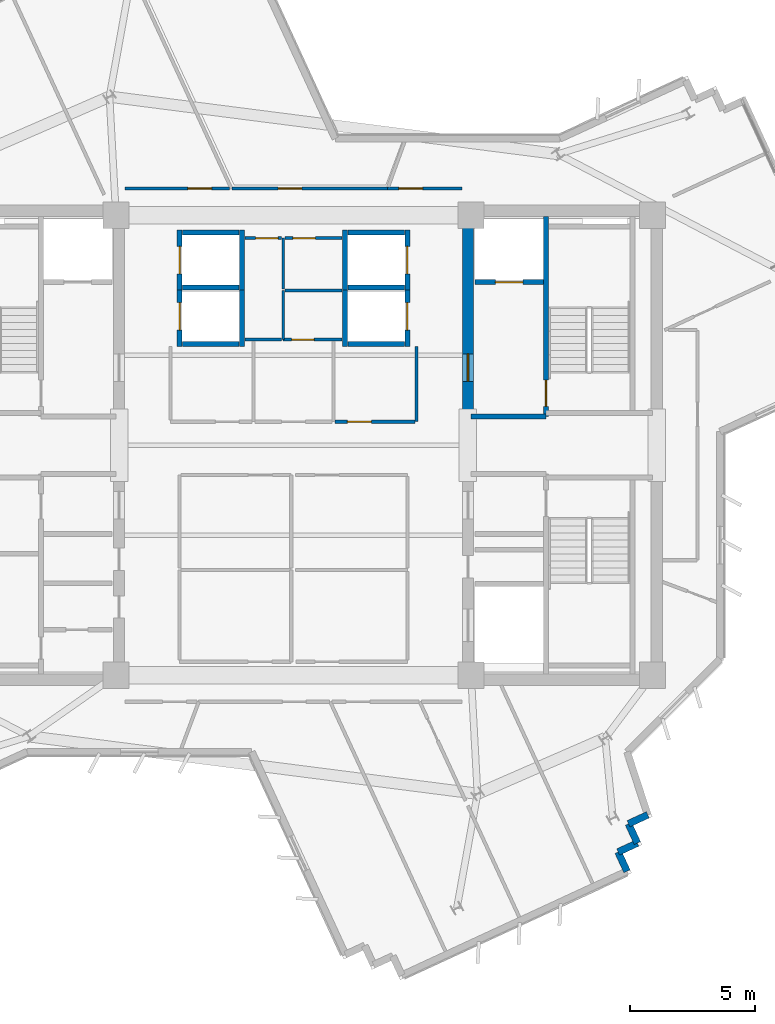
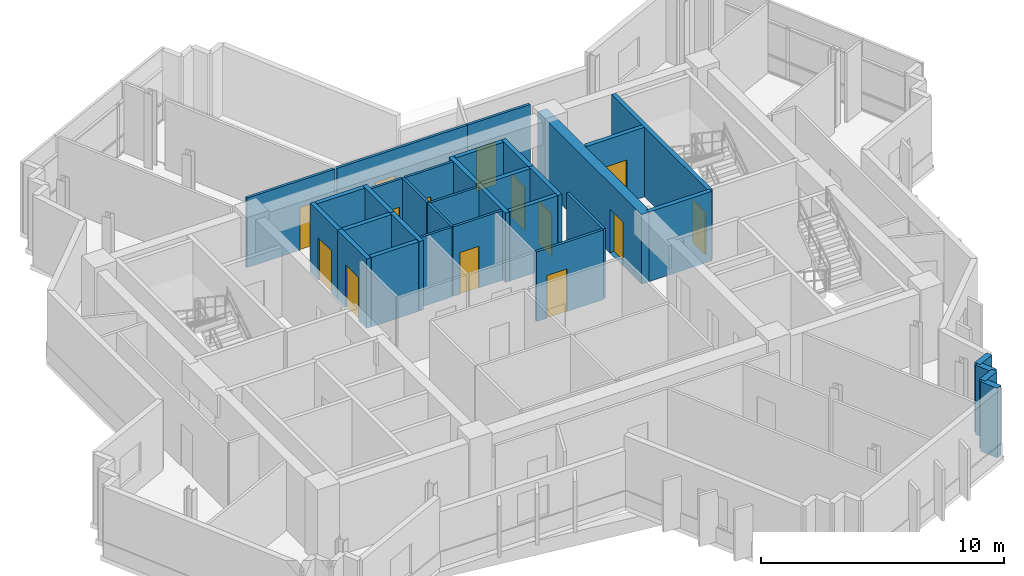
# One storey, part 7 of 12: 34 walls, 14 doors, 14 openings.
"""IFC4 building model written with IfcOpenShell, lengths in metres."""

from ifc_helpers import new_model, si_unit, direction, frame, frame_2d, origin, place, context, subcontext, project, spatial, rectangle, extrude, source, transform, mapped, material, layer, layer_set, type_object, element, fill, save


model = new_model("IFC4")

# Units and contexts
model_context = context("Model", 3, precision=1e-05, world=origin(), true_north=direction((0.0, 1.0)))
body_context = subcontext(model_context, "Body", "Model", "MODEL_VIEW")
ifc_project = project(units=[si_unit("LENGTHUNIT", "METRE"), si_unit("AREAUNIT", "SQUARE_METRE"), si_unit("VOLUMEUNIT", "CUBIC_METRE"), si_unit("PLANEANGLEUNIT", "RADIAN"), si_unit("MASSUNIT", "GRAM", prefix="KILO")], contexts=[model_context])

# Site, building, storey
site_placement = place(None, origin())
site = spatial("IfcSite", under=ifc_project, at=site_placement, CompositionType="ELEMENT")
building_placement = place(site_placement, origin())
building = spatial("IfcBuilding", under=site, at=building_placement, Name="Zahravan Cultural Tower", CompositionType="ELEMENT")
storey_placement = place(building_placement, frame((0.0, 0.0, 242.85009765625)))
storey = spatial("IfcBuildingStorey", under=building, at=storey_placement, Name="L57", CompositionType="ELEMENT", Elevation=242.85009765625)

# Wall, opening, door
ifc_material_1 = material(Name="Concrete C50/60", Category="concrete")
ifc_layer_1 = layer(ifc_material_1, 0.449951171875)
ifc_layer_set_1 = layer_set([ifc_layer_1], Name="Concrete C50/60")
wall_type_1 = type_object("IfcWallType", Name="CW-SHEAR-450-C50", PredefinedType="SHEAR", material=ifc_layer_set_1)
wall_1_placement = place(storey_placement, frame((42.97509765625, 28.050048828125, 0.0), z_axis=(0.0, 0.0, 1.0), x_axis=(0.0, 1.0, 0.0)))
wall_1 = element("IfcWall", 1, at=wall_1_placement, inside=storey, type_object=wall_type_1, Name="L57 Core Shear Wall CW-E-WN-L57", PredefinedType="SHEAR", context=body_context, shape_type="SweptSolid", body=[
    extrude(rectangle(XDim=8.550048828125, YDim=0.449951171875, at=frame_2d((4.27490234375, 0.0))), origin(), (0.0, 0.0, 1.0), 3.5),
])
opening_1_placement = place(wall_1_placement, frame((1.5, 0.0, 0.0)))
opening_1 = element("IfcOpeningElement", 2, at=opening_1_placement, cuts=wall_1, Name="Opening D-L57-07", PredefinedType="OPENING", context=body_context, shape_type="SweptSolid", body=[
    extrude(rectangle(XDim=1.10009765625, YDim=2.199951171875, at=frame_2d((0.550048828125, 1.10009765625))), frame((0.0, 0.23486328125, 0.0), z_axis=(0.0, -1.0, 0.0), x_axis=(1.0, 0.0, 0.0)), (0.0, 0.0, 1.0), 0.469970703125),
])
ifc_material_2 = material(Name="Steel ASTM A572 Grade 50", Category="steel")
door_type_1 = type_object("IfcDoorType", Name="DR-LOBBY-1100", OperationType="NOTDEFINED", PredefinedType="DOOR", material=ifc_material_2)
shared_shape_1 = source(origin(), body_context, "Body", "SweptSolid", [
    extrude(rectangle(XDim=1.10009765625, YDim=2.199951171875, at=frame_2d((0.550048828125, 1.10009765625))), frame((0.0, 0.02490234375, 0.0), z_axis=(0.0, -1.0, 0.0), x_axis=(1.0, 0.0, 0.0)), (0.0, 0.0, 1.0), 0.050048828125),
])
door_1_placement = place(opening_1_placement, origin())
door_1 = element("IfcDoor", 3, at=door_1_placement, inside=storey, type_object=door_type_1, Name="L57 Door D-L57-07", OperationType="SINGLE_SWING_LEFT", OverallHeight=2.199951171875, OverallWidth=1.10009765625, PredefinedType="DOOR", context=body_context, shape_type="MappedRepresentation", body=[
    mapped(shared_shape_1, transform((0.0, 0.0, 0.0), x_axis=(1.0, 0.0, 0.0), y_axis=(0.0, 1.0, 0.0), z_axis=(0.0, 0.0, 1.0), scale=1.0)),
])
fill(opening_1, door_1)

ifc_material_3 = material(Name="Gypsum plasterboard partition")
ifc_layer_2 = layer(ifc_material_3, 0.125)
ifc_layer_set_2 = layer_set([ifc_layer_2], Name="Gypsum plasterboard partition")
wall_type_2 = type_object("IfcWallType", Name="W-PART-125", PredefinedType="PARTITIONING", material=ifc_layer_set_2)
wall_2_placement = place(storey_placement, frame((40.8525390625, 27.93994140625, 0.0), z_axis=(0.0, 0.0, 1.0), x_axis=(-1.0, 0.0, 0.0)))
wall_2 = element("IfcWall", 4, at=wall_2_placement, inside=storey, type_object=wall_type_2, Name="L57 Interior Wall 057", PredefinedType="PARTITIONING", context=body_context, shape_type="SweptSolid", body=[
    extrude(rectangle(XDim=3.18505859375, YDim=0.125, at=frame_2d((1.592529296875, 0.0))), origin(), (0.0, 0.0, 1.0), 3.5),
])
opening_2_placement = place(wall_2_placement, frame((1.743408203125, 0.0, 0.0)))
opening_2 = element("IfcOpeningElement", 5, at=opening_2_placement, cuts=wall_2, Name="Opening D-L57-22", PredefinedType="OPENING", context=body_context, shape_type="SweptSolid", body=[
    extrude(rectangle(XDim=0.949951171875, YDim=2.14990234375, at=frame_2d((0.47509765625, 1.074951171875))), frame((0.0, 0.072509765625, 0.0), z_axis=(0.0, -1.0, 0.0), x_axis=(1.0, 0.0, 0.0)), (0.0, 0.0, 1.0), 0.14501953125),
])
ifc_material_4 = material(Name="Anodised bronze-aluminium mullion", Category="aluminium")
door_type_2 = type_object("IfcDoorType", Name="DR-ROOM-950", OperationType="NOTDEFINED", PredefinedType="DOOR", material=ifc_material_4)
shared_shape_2 = source(origin(), body_context, "Body", "SweptSolid", [
    extrude(rectangle(XDim=0.949951171875, YDim=2.14990234375, at=frame_2d((0.47509765625, 1.074951171875))), frame((0.0, 0.02490234375, 0.0), z_axis=(0.0, -1.0, 0.0), x_axis=(1.0, 0.0, 0.0)), (0.0, 0.0, 1.0), 0.050048828125),
])
door_2_placement = place(opening_2_placement, origin())
door_2 = element("IfcDoor", 6, at=door_2_placement, inside=storey, type_object=door_type_2, Name="L57 Door D-L57-22", OperationType="SINGLE_SWING_RIGHT", OverallHeight=2.14990234375, OverallWidth=0.949951171875, PredefinedType="DOOR", context=body_context, shape_type="MappedRepresentation", body=[
    mapped(shared_shape_2, transform((0.0, 0.0, 0.0), x_axis=(1.0, 0.0, 0.0), y_axis=(0.0, 1.0, 0.0), z_axis=(0.0, 0.0, 1.0), scale=1.0)),
])
fill(opening_2, door_2)

wall_3_placement = place(storey_placement, frame((42.74658203125, 37.2587890625, 0.0), z_axis=(0.0, 0.0, 1.0), x_axis=(-0.999999916415, 0.000408864141, 0.0)))
wall_3 = element("IfcWall", 7, at=wall_3_placement, inside=storey, type_object=wall_type_2, Name="L57 Interior Wall 085", PredefinedType="PARTITIONING", context=body_context, shape_type="SweptSolid", body=[
    extrude(rectangle(XDim=2.985595703125, YDim=0.125, at=frame_2d((1.49267578125, 0.0))), origin(), (0.0, 0.0, 1.0), 3.5),
])
opening_3_placement = place(wall_3_placement, frame((1.587890625, 0.0, 0.0)))
opening_3 = element("IfcOpeningElement", 8, at=opening_3_placement, cuts=wall_3, Name="Opening D-L57-24", PredefinedType="OPENING", context=body_context, shape_type="SweptSolid", body=[
    extrude(rectangle(XDim=0.949951171875, YDim=2.14990234375, at=frame_2d((0.47509765625, 1.074951171875))), frame((0.0, 0.072509765625, 0.0), z_axis=(0.0, -1.0, 0.0), x_axis=(1.0, 0.0, 0.0)), (0.0, 0.0, 1.0), 0.14501953125),
])
door_3_placement = place(opening_3_placement, origin())
door_3 = element("IfcDoor", 9, at=door_3_placement, inside=storey, type_object=door_type_2, Name="L57 Door D-L57-24", OperationType="SINGLE_SWING_RIGHT", OverallHeight=2.14990234375, OverallWidth=0.949951171875, PredefinedType="DOOR", context=body_context, shape_type="MappedRepresentation", body=[
    mapped(shared_shape_2, transform((0.0, 0.0, 0.0), x_axis=(1.0, 0.0, 0.0), y_axis=(0.0, 1.0, 0.0), z_axis=(0.0, 0.0, 1.0), scale=1.0)),
])
fill(opening_3, door_3)

wall_4_placement = place(storey_placement, frame((33.443115234375, 37.260009765625, 0.0), z_axis=(0.0, 0.0, 1.0), x_axis=(-0.999999998299, -5.8329445e-05, 0.0)))
wall_4 = element("IfcWall", 10, at=wall_4_placement, inside=storey, type_object=wall_type_2, Name="L57 Interior Wall 089", PredefinedType="PARTITIONING", context=body_context, shape_type="SweptSolid", body=[
    extrude(rectangle(XDim=4.185546875, YDim=0.125, at=frame_2d((2.0927734375, 0.0))), origin(), (0.0, 0.0, 1.0), 3.5),
])
opening_4_placement = place(wall_4_placement, frame((0.7119140625, 0.0, 0.0)))
opening_4 = element("IfcOpeningElement", 11, at=opening_4_placement, cuts=wall_4, Name="Opening D-L57-26", PredefinedType="OPENING", context=body_context, shape_type="SweptSolid", body=[
    extrude(rectangle(XDim=0.949951171875, YDim=2.14990234375, at=frame_2d((0.47509765625, 1.074951171875))), frame((0.0, 0.072509765625, 0.0), z_axis=(0.0, -1.0, 0.0), x_axis=(1.0, 0.0, 0.0)), (0.0, 0.0, 1.0), 0.14501953125),
])
door_4_placement = place(opening_4_placement, origin())
door_4 = element("IfcDoor", 12, at=door_4_placement, inside=storey, type_object=door_type_2, Name="L57 Door D-L57-26", OperationType="SINGLE_SWING_RIGHT", OverallHeight=2.14990234375, OverallWidth=0.949951171875, PredefinedType="DOOR", context=body_context, shape_type="MappedRepresentation", body=[
    mapped(shared_shape_2, transform((0.0, 0.0, 0.0), x_axis=(1.0, 0.0, 0.0), y_axis=(0.0, 1.0, 0.0), z_axis=(0.0, 0.0, 1.0), scale=1.0)),
])
fill(opening_4, door_4)

wall_5_placement = place(storey_placement, frame((39.760986328125, 37.260009765625, 0.0), z_axis=(0.0, 0.0, 1.0), x_axis=(-1.0, 0.0, 0.0)))
wall_5 = element("IfcWall", 13, at=wall_5_placement, inside=storey, type_object=wall_type_2, Name="L57 Interior Wall 103", PredefinedType="PARTITIONING", context=body_context, shape_type="SweptSolid", body=[
    extrude(rectangle(XDim=6.221435546875, YDim=0.125, at=frame_2d((3.11083984375, 0.0))), origin(), (0.0, 0.0, 1.0), 3.5),
])
opening_5_placement = place(wall_5_placement, frame((3.426513671875, 0.0, 0.0)))
opening_5 = element("IfcOpeningElement", 14, at=opening_5_placement, cuts=wall_5, Name="Opening D-L57-25", PredefinedType="OPENING", context=body_context, shape_type="SweptSolid", body=[
    extrude(rectangle(XDim=0.949951171875, YDim=2.14990234375, at=frame_2d((0.47509765625, 1.074951171875))), frame((0.0, 0.072509765625, 0.0), z_axis=(0.0, -1.0, 0.0), x_axis=(1.0, 0.0, 0.0)), (0.0, 0.0, 1.0), 0.14501953125),
])
door_5_placement = place(opening_5_placement, origin())
door_5 = element("IfcDoor", 15, at=door_5_placement, inside=storey, type_object=door_type_2, Name="L57 Door D-L57-25", OperationType="SINGLE_SWING_LEFT", OverallHeight=2.14990234375, OverallWidth=0.949951171875, PredefinedType="DOOR", context=body_context, shape_type="MappedRepresentation", body=[
    mapped(shared_shape_2, transform((0.0, 0.0, 0.0), x_axis=(1.0, 0.0, 0.0), y_axis=(0.0, 1.0, 0.0), z_axis=(0.0, 0.0, 1.0), scale=1.0)),
])
fill(opening_5, door_5)

ifc_material_5 = material(Name="Concrete C45/55", Category="concrete")
ifc_layer_3 = layer(ifc_material_5, 0.199951171875)
ifc_layer_set_3 = layer_set([ifc_layer_3], Name="Concrete C45/55")
wall_type_3 = type_object("IfcWallType", Name="W-SHAFT-200", PredefinedType="SOLIDWALL", material=ifc_layer_set_3)
wall_6_placement = place(storey_placement, frame((46.10009765625, 28.14990234375, 0.0), z_axis=(0.0, 0.0, 1.0), x_axis=(0.0, 1.0, 0.0)))
wall_6 = element("IfcWall", 16, at=wall_6_placement, inside=storey, type_object=wall_type_3, Name="L57 Interior Wall 008", PredefinedType="SOLIDWALL", context=body_context, shape_type="SweptSolid", body=[
    extrude(rectangle(XDim=8.0, YDim=0.199951171875, at=frame_2d((4.0, 0.0))), origin(), (0.0, 0.0, 1.0), 3.5),
])
opening_6_placement = place(wall_6_placement, frame((0.39990234375, 0.0, 0.0)))
opening_6 = element("IfcOpeningElement", 17, at=opening_6_placement, cuts=wall_6, Name="Opening D-L57-02", PredefinedType="OPENING", context=body_context, shape_type="SweptSolid", body=[
    extrude(rectangle(XDim=1.050048828125, YDim=2.14990234375, at=frame_2d((0.52490234375, 1.074951171875))), frame((0.0, 0.10986328125, 0.0), z_axis=(0.0, -1.0, 0.0), x_axis=(1.0, 0.0, 0.0)), (0.0, 0.0, 1.0), 0.219970703125),
])
door_type_3 = type_object("IfcDoorType", Name="DR-STAIR-1050", OperationType="NOTDEFINED", PredefinedType="DOOR", material=ifc_material_2)
shared_shape_3 = source(origin(), body_context, "Body", "SweptSolid", [
    extrude(rectangle(XDim=1.050048828125, YDim=2.14990234375, at=frame_2d((0.52490234375, 1.074951171875))), frame((0.0, 0.02490234375, 0.0), z_axis=(0.0, -1.0, 0.0), x_axis=(1.0, 0.0, 0.0)), (0.0, 0.0, 1.0), 0.050048828125),
])
door_6_placement = place(opening_6_placement, origin())
door_6 = element("IfcDoor", 18, at=door_6_placement, inside=storey, type_object=door_type_3, Name="L57 Door D-L57-02", OperationType="SINGLE_SWING_RIGHT", OverallHeight=2.14990234375, OverallWidth=1.050048828125, PredefinedType="DOOR", context=body_context, shape_type="MappedRepresentation", body=[
    mapped(shared_shape_3, transform((0.0, 0.0, 0.0), x_axis=(1.0, 0.0, 0.0), y_axis=(0.0, 1.0, 0.0), z_axis=(0.0, 0.0, 1.0), scale=1.0)),
])
fill(opening_6, door_6)

wall_7_placement = place(storey_placement, frame((43.25, 33.52001953125, 0.0), z_axis=(0.0, 0.0, 1.0), x_axis=(1.0, 0.0, 0.0)))
wall_7 = element("IfcWall", 19, at=wall_7_placement, inside=storey, type_object=wall_type_3, Name="L57 Interior Wall 023", PredefinedType="SOLIDWALL", context=body_context, shape_type="SweptSolid", body=[
    extrude(rectangle(XDim=2.75, YDim=0.199951171875, at=frame_2d((1.375, 0.0))), origin(), (0.0, 0.0, 1.0), 3.5),
])
opening_7_placement = place(wall_7_placement, frame((0.820068359375, 0.0, 0.0)))
opening_7 = element("IfcOpeningElement", 20, at=opening_7_placement, cuts=wall_7, Name="Opening LD-L57-02", PredefinedType="OPENING", context=body_context, shape_type="SweptSolid", body=[
    extrude(rectangle(XDim=1.10009765625, YDim=2.14990234375, at=frame_2d((0.550048828125, 1.074951171875))), frame((0.0, 0.10986328125, 0.0), z_axis=(0.0, -1.0, 0.0), x_axis=(1.0, 0.0, 0.0)), (0.0, 0.0, 1.0), 0.219970703125),
])
door_type_4 = type_object("IfcDoorType", Name="DR-LIFT-1100", OperationType="DOUBLE_DOOR_SLIDING", PredefinedType="DOOR", material=ifc_material_2)
shared_shape_4 = source(origin(), body_context, "Body", "SweptSolid", [
    extrude(rectangle(XDim=1.10009765625, YDim=2.14990234375, at=frame_2d((0.550048828125, 1.074951171875))), frame((0.0, 0.02490234375, 0.0), z_axis=(0.0, -1.0, 0.0), x_axis=(1.0, 0.0, 0.0)), (0.0, 0.0, 1.0), 0.050048828125),
])
door_7_placement = place(opening_7_placement, origin())
door_7 = element("IfcDoor", 21, at=door_7_placement, inside=storey, type_object=door_type_4, Name="L57 Door LD-L57-02", OperationType="DOUBLE_DOOR_SLIDING", OverallHeight=2.14990234375, OverallWidth=1.10009765625, PredefinedType="DOOR", context=body_context, shape_type="MappedRepresentation", body=[
    mapped(shared_shape_4, transform((0.0, 0.0, 0.0), x_axis=(1.0, 0.0, 0.0), y_axis=(0.0, 1.0, 0.0), z_axis=(0.0, 0.0, 1.0), scale=1.0)),
])
fill(opening_7, door_7)

wall_8_placement = place(storey_placement, frame((31.449951171875, 33.199951171875, 0.0), z_axis=(0.0, 0.0, 1.0), x_axis=(0.0, 1.0, 0.0)))
wall_8 = element("IfcWall", 22, at=wall_8_placement, inside=storey, type_object=wall_type_3, Name="L57 Interior Wall 030", PredefinedType="SOLIDWALL", context=body_context, shape_type="SweptSolid", body=[
    extrude(rectangle(XDim=2.400146484375, YDim=0.199951171875, at=frame_2d((1.2001953125, 0.0))), origin(), (0.0, 0.0, 1.0), 3.5),
])
opening_8_placement = place(wall_8_placement, frame((0.64990234375, 0.0, 0.0)))
opening_8 = element("IfcOpeningElement", 23, at=opening_8_placement, cuts=wall_8, Name="Opening LD-L57-04", PredefinedType="OPENING", context=body_context, shape_type="SweptSolid", body=[
    extrude(rectangle(XDim=1.10009765625, YDim=2.14990234375, at=frame_2d((0.550048828125, 1.074951171875))), frame((0.0, 0.10986328125, 0.0), z_axis=(0.0, -1.0, 0.0), x_axis=(1.0, 0.0, 0.0)), (0.0, 0.0, 1.0), 0.219970703125),
])
door_8_placement = place(opening_8_placement, origin())
door_8 = element("IfcDoor", 24, at=door_8_placement, inside=storey, type_object=door_type_4, Name="L57 Door LD-L57-04", OperationType="DOUBLE_DOOR_SLIDING", OverallHeight=2.14990234375, OverallWidth=1.10009765625, PredefinedType="DOOR", context=body_context, shape_type="MappedRepresentation", body=[
    mapped(shared_shape_4, transform((0.0, 0.0, 0.0), x_axis=(1.0, 0.0, 0.0), y_axis=(0.0, 1.0, 0.0), z_axis=(0.0, 0.0, 1.0), scale=1.0)),
])
fill(opening_8, door_8)

wall_9_placement = place(storey_placement, frame((31.449951171875, 30.949951171875, 0.0), z_axis=(0.0, 0.0, 1.0), x_axis=(0.0, 1.0, 0.0)))
wall_9 = element("IfcWall", 25, at=wall_9_placement, inside=storey, type_object=wall_type_3, Name="L57 Interior Wall 034", PredefinedType="SOLIDWALL", context=body_context, shape_type="SweptSolid", body=[
    extrude(rectangle(XDim=2.400146484375, YDim=0.199951171875, at=frame_2d((1.2001953125, 0.0))), origin(), (0.0, 0.0, 1.0), 3.5),
])
opening_9_placement = place(wall_9_placement, frame((0.64990234375, 0.0, 0.0)))
opening_9 = element("IfcOpeningElement", 26, at=opening_9_placement, cuts=wall_9, Name="Opening LD-L57-05", PredefinedType="OPENING", context=body_context, shape_type="SweptSolid", body=[
    extrude(rectangle(XDim=1.10009765625, YDim=2.14990234375, at=frame_2d((0.550048828125, 1.074951171875))), frame((0.0, 0.10986328125, 0.0), z_axis=(0.0, -1.0, 0.0), x_axis=(1.0, 0.0, 0.0)), (0.0, 0.0, 1.0), 0.219970703125),
])
door_9_placement = place(opening_9_placement, origin())
door_9 = element("IfcDoor", 27, at=door_9_placement, inside=storey, type_object=door_type_4, Name="L57 Door LD-L57-05", OperationType="DOUBLE_DOOR_SLIDING", OverallHeight=2.14990234375, OverallWidth=1.10009765625, PredefinedType="DOOR", context=body_context, shape_type="MappedRepresentation", body=[
    mapped(shared_shape_4, transform((0.0, 0.0, 0.0), x_axis=(1.0, 0.0, 0.0), y_axis=(0.0, 1.0, 0.0), z_axis=(0.0, 0.0, 1.0), scale=1.0)),
])
fill(opening_9, door_9)

wall_10_placement = place(storey_placement, frame((40.550048828125, 33.199951171875, 0.0), z_axis=(0.0, 0.0, 1.0), x_axis=(0.0, 1.0, 0.0)))
wall_10 = element("IfcWall", 28, at=wall_10_placement, inside=storey, type_object=wall_type_3, Name="L57 Interior Wall 038", PredefinedType="SOLIDWALL", context=body_context, shape_type="SweptSolid", body=[
    extrude(rectangle(XDim=2.400146484375, YDim=0.199951171875, at=frame_2d((1.2001953125, 0.0))), origin(), (0.0, 0.0, 1.0), 3.5),
])
opening_10_placement = place(wall_10_placement, frame((0.64990234375, 0.0, 0.0)))
opening_10 = element("IfcOpeningElement", 29, at=opening_10_placement, cuts=wall_10, Name="Opening LD-L57-06", PredefinedType="OPENING", context=body_context, shape_type="SweptSolid", body=[
    extrude(rectangle(XDim=1.10009765625, YDim=2.14990234375, at=frame_2d((0.550048828125, 1.074951171875))), frame((0.0, 0.10986328125, 0.0), z_axis=(0.0, -1.0, 0.0), x_axis=(1.0, 0.0, 0.0)), (0.0, 0.0, 1.0), 0.219970703125),
])
door_10_placement = place(opening_10_placement, origin())
door_10 = element("IfcDoor", 30, at=door_10_placement, inside=storey, type_object=door_type_4, Name="L57 Door LD-L57-06", OperationType="DOUBLE_DOOR_SLIDING", OverallHeight=2.14990234375, OverallWidth=1.10009765625, PredefinedType="DOOR", context=body_context, shape_type="MappedRepresentation", body=[
    mapped(shared_shape_4, transform((0.0, 0.0, 0.0), x_axis=(1.0, 0.0, 0.0), y_axis=(0.0, 1.0, 0.0), z_axis=(0.0, 0.0, 1.0), scale=1.0)),
])
fill(opening_10, door_10)

wall_11_placement = place(storey_placement, frame((40.550048828125, 30.949951171875, 0.0), z_axis=(0.0, 0.0, 1.0), x_axis=(0.0, 1.0, 0.0)))
wall_11 = element("IfcWall", 31, at=wall_11_placement, inside=storey, type_object=wall_type_3, Name="L57 Interior Wall 042", PredefinedType="SOLIDWALL", context=body_context, shape_type="SweptSolid", body=[
    extrude(rectangle(XDim=2.400146484375, YDim=0.199951171875, at=frame_2d((1.2001953125, 0.0))), origin(), (0.0, 0.0, 1.0), 3.5),
])
opening_11_placement = place(wall_11_placement, frame((0.64990234375, 0.0, 0.0)))
opening_11 = element("IfcOpeningElement", 32, at=opening_11_placement, cuts=wall_11, Name="Opening LD-L57-07", PredefinedType="OPENING", context=body_context, shape_type="SweptSolid", body=[
    extrude(rectangle(XDim=1.10009765625, YDim=2.14990234375, at=frame_2d((0.550048828125, 1.074951171875))), frame((0.0, 0.10986328125, 0.0), z_axis=(0.0, -1.0, 0.0), x_axis=(1.0, 0.0, 0.0)), (0.0, 0.0, 1.0), 0.219970703125),
])
door_11_placement = place(opening_11_placement, origin())
door_11 = element("IfcDoor", 33, at=door_11_placement, inside=storey, type_object=door_type_4, Name="L57 Door LD-L57-07", OperationType="DOUBLE_DOOR_SLIDING", OverallHeight=2.14990234375, OverallWidth=1.10009765625, PredefinedType="DOOR", context=body_context, shape_type="MappedRepresentation", body=[
    mapped(shared_shape_4, transform((0.0, 0.0, 0.0), x_axis=(1.0, 0.0, 0.0), y_axis=(0.0, 1.0, 0.0), z_axis=(0.0, 0.0, 1.0), scale=1.0)),
])
fill(opening_11, door_11)

ifc_layer_4 = layer(ifc_material_3, 0.114990234375)
ifc_layer_set_4 = layer_set([ifc_layer_4], Name="Gypsum plasterboard partition")
wall_type_4 = type_object("IfcWallType", Name="W-WC-115", PredefinedType="PARTITIONING", material=ifc_layer_set_4)
wall_12_placement = place(storey_placement, frame((37.945068359375, 31.219970703125, 0.0), z_axis=(0.0, 0.0, 1.0), x_axis=(-1.0, 0.0, 0.0)))
wall_12 = element("IfcWall", 34, at=wall_12_placement, inside=storey, type_object=wall_type_4, Name="L57 Interior Wall 044", PredefinedType="PARTITIONING", context=body_context, shape_type="SweptSolid", body=[
    extrude(rectangle(XDim=2.35498046875, YDim=0.114990234375, at=frame_2d((1.177490234375, 0.0))), origin(), (0.0, 0.0, 1.0), 3.5),
])
opening_12_placement = place(wall_12_placement, frame((1.120849609375, 0.0, 0.0)))
opening_12 = element("IfcOpeningElement", 35, at=opening_12_placement, cuts=wall_12, Name="Opening D-L57-31", PredefinedType="OPENING", context=body_context, shape_type="SweptSolid", body=[
    extrude(rectangle(XDim=0.89990234375, YDim=2.10009765625, at=frame_2d((0.449951171875, 1.050048828125))), frame((0.0, 0.0673828125, 0.0), z_axis=(0.0, -1.0, 0.0), x_axis=(1.0, 0.0, 0.0)), (0.0, 0.0, 1.0), 0.135009765625),
])
door_type_5 = type_object("IfcDoorType", Name="DR-WC-900", OperationType="NOTDEFINED", PredefinedType="DOOR", material=ifc_material_4)
shared_shape_5 = source(origin(), body_context, "Body", "SweptSolid", [
    extrude(rectangle(XDim=0.89990234375, YDim=2.10009765625, at=frame_2d((0.449951171875, 1.050048828125))), frame((0.0, 0.02490234375, 0.0), z_axis=(0.0, -1.0, 0.0), x_axis=(1.0, 0.0, 0.0)), (0.0, 0.0, 1.0), 0.050048828125),
])
door_12_placement = place(opening_12_placement, origin())
door_12 = element("IfcDoor", 36, at=door_12_placement, inside=storey, type_object=door_type_5, Name="L57 Door D-L57-31", OperationType="SINGLE_SWING_LEFT", OverallHeight=2.10009765625, OverallWidth=0.89990234375, PredefinedType="DOOR", context=body_context, shape_type="MappedRepresentation", body=[
    mapped(shared_shape_5, transform((0.0, 0.0, 0.0), x_axis=(1.0, 0.0, 0.0), y_axis=(0.0, 1.0, 0.0), z_axis=(0.0, 0.0, 1.0), scale=1.0)),
])
fill(opening_12, door_12)

wall_13_placement = place(storey_placement, frame((35.652587890625, 35.280029296875, 0.0), z_axis=(0.0, 0.0, 1.0), x_axis=(1.0, 0.0, 0.0)))
wall_13 = element("IfcWall", 37, at=wall_13_placement, inside=storey, type_object=wall_type_4, Name="L57 Interior Wall 048", PredefinedType="PARTITIONING", context=body_context, shape_type="SweptSolid", body=[
    extrude(rectangle(XDim=2.29248046875, YDim=0.114990234375, at=frame_2d((1.146240234375, 0.0))), origin(), (0.0, 0.0, 1.0), 3.5),
])
opening_13_placement = place(wall_13_placement, frame((0.3203125, 0.0, 0.0)))
opening_13 = element("IfcOpeningElement", 38, at=opening_13_placement, cuts=wall_13, Name="Opening D-L57-19", PredefinedType="OPENING", context=body_context, shape_type="SweptSolid", body=[
    extrude(rectangle(XDim=0.89990234375, YDim=2.10009765625, at=frame_2d((0.449951171875, 1.050048828125))), frame((0.0, 0.0673828125, 0.0), z_axis=(0.0, -1.0, 0.0), x_axis=(1.0, 0.0, 0.0)), (0.0, 0.0, 1.0), 0.135009765625),
])
door_13_placement = place(opening_13_placement, origin())
door_13 = element("IfcDoor", 39, at=door_13_placement, inside=storey, type_object=door_type_5, Name="L57 Door D-L57-19", OperationType="SINGLE_SWING_LEFT", OverallHeight=2.10009765625, OverallWidth=0.89990234375, PredefinedType="DOOR", context=body_context, shape_type="MappedRepresentation", body=[
    mapped(shared_shape_5, transform((0.0, 0.0, 0.0), x_axis=(1.0, 0.0, 0.0), y_axis=(0.0, 1.0, 0.0), z_axis=(0.0, 0.0, 1.0), scale=1.0)),
])
fill(opening_13, door_13)

wall_14_placement = place(storey_placement, frame((34.054931640625, 35.280029296875, 0.0), z_axis=(0.0, 0.0, 1.0), x_axis=(1.0, 0.0, 0.0)))
wall_14 = element("IfcWall", 40, at=wall_14_placement, inside=storey, type_object=wall_type_4, Name="L57 Interior Wall 050", PredefinedType="PARTITIONING", context=body_context, shape_type="SweptSolid", body=[
    extrude(rectangle(XDim=1.47265625, YDim=0.114990234375, at=frame_2d((0.736328125, 0.0))), origin(), (0.0, 0.0, 1.0), 3.5),
])
opening_14_placement = place(wall_14_placement, frame((0.4326171875, 0.0, 0.0)))
opening_14 = element("IfcOpeningElement", 41, at=opening_14_placement, cuts=wall_14, Name="Opening D-L57-18", PredefinedType="OPENING", context=body_context, shape_type="SweptSolid", body=[
    extrude(rectangle(XDim=0.89990234375, YDim=2.10009765625, at=frame_2d((0.449951171875, 1.050048828125))), frame((0.0, 0.0673828125, 0.0), z_axis=(0.0, -1.0, 0.0), x_axis=(1.0, 0.0, 0.0)), (0.0, 0.0, 1.0), 0.135009765625),
])
door_14_placement = place(opening_14_placement, origin())
door_14 = element("IfcDoor", 42, at=door_14_placement, inside=storey, type_object=door_type_5, Name="L57 Door D-L57-18", OperationType="SINGLE_SWING_RIGHT", OverallHeight=2.10009765625, OverallWidth=0.89990234375, PredefinedType="DOOR", context=body_context, shape_type="MappedRepresentation", body=[
    mapped(shared_shape_5, transform((0.0, 0.0, 0.0), x_axis=(1.0, 0.0, 0.0), y_axis=(0.0, 1.0, 0.0), z_axis=(0.0, 0.0, 1.0), scale=1.0)),
])
fill(opening_14, door_14)

# Walls
ifc_material_6 = material(Name="Precast concrete C40/50", Category="concrete")
ifc_layer_5 = layer(ifc_material_6, 0.280029296875)
ifc_layer_set_5 = layer_set([ifc_layer_5], Name="Precast concrete C40/50")
wall_type_5 = type_object("IfcWallType", Name="EW-TC-280", PredefinedType="SOLIDWALL", material=ifc_layer_set_5)
shared_shape_6 = source(origin(), body_context, "Body", "SweptSolid", [
    extrude(rectangle(XDim=0.85009765625, YDim=0.280029296875, at=frame_2d((0.425048828125, 0.0))), origin(), (0.0, 0.0, 1.0), 3.5),
])
for number, where, z_axis, x_axis, name in (
    (43, (50.16650390625, 12.218994140625, 0.0), (0.0, 0.0, 1.0), (-0.907841666427, -0.419313139191, 0.0), "L57 Exterior Masonry Frame Wall 14"),
    (44, (49.394775390625, 11.862548828125, 0.0), (0.0, 0.0, 1.0), (0.419313139191, -0.907841666427, 0.0), "L57 Exterior Masonry Frame Wall 15"),
    (45, (48.979736328125, 10.734375, 0.0), (0.0, 0.0, 1.0), (0.419313139191, -0.907841666427, 0.0), "L57 Exterior Masonry Frame Wall 17"),
):
    element("IfcWall", number, at=place(storey_placement, frame(where, z_axis=z_axis, x_axis=x_axis)), inside=storey, type_object=wall_type_5, Name=name, PredefinedType="SOLIDWALL", context=body_context, shape_type="MappedRepresentation", body=[
        mapped(shared_shape_6, transform((0.0, 0.0, 0.0), x_axis=(1.0, 0.0, 0.0), y_axis=(0.0, 1.0, 0.0), z_axis=(0.0, 0.0, 1.0), scale=1.0)),
    ])
shared_shape_7 = source(origin(), body_context, "Body", "SweptSolid", [
    extrude(rectangle(XDim=0.849853515625, YDim=0.280029296875, at=frame_2d((0.4248046875, 0.0))), origin(), (0.0, 0.0, 1.0), 3.5),
])
wall_15_placement = place(storey_placement, frame((49.751220703125, 11.0908203125, 0.0), z_axis=(0.0, 0.0, 1.0), x_axis=(-0.907791150023, -0.419422493365, 0.0)))
element("IfcWall", 46, at=wall_15_placement, inside=storey, type_object=wall_type_5, Name="L57 Exterior Masonry Frame Wall 16", PredefinedType="SOLIDWALL", context=body_context, shape_type="MappedRepresentation", body=[
    mapped(shared_shape_7, transform((0.0, 0.0, 0.0), x_axis=(1.0, 0.0, 0.0), y_axis=(0.0, 1.0, 0.0), z_axis=(0.0, 0.0, 1.0), scale=1.0)),
])
shared_shape_8 = source(origin(), body_context, "Body", "SweptSolid", [
    extrude(rectangle(XDim=3.0, YDim=0.199951171875, at=frame_2d((1.5, 0.0))), origin(), (0.0, 0.0, 1.0), 3.5),
])
wall_16_placement = place(storey_placement, frame((43.10009765625, 28.14990234375, 0.0), z_axis=(0.0, 0.0, 1.0), x_axis=(1.0, 0.0, 0.0)))
element("IfcWall", 47, at=wall_16_placement, inside=storey, type_object=wall_type_3, Name="L57 Interior Wall 015", PredefinedType="SOLIDWALL", context=body_context, shape_type="MappedRepresentation", body=[
    mapped(shared_shape_8, transform((0.0, 0.0, 0.0), x_axis=(1.0, 0.0, 0.0), y_axis=(0.0, 1.0, 0.0), z_axis=(0.0, 0.0, 1.0), scale=1.0)),
])
shared_shape_9 = source(origin(), body_context, "Body", "SweptSolid", [
    extrude(rectangle(XDim=2.400146484375, YDim=0.199951171875, at=frame_2d((1.2001953125, 0.0))), origin(), (0.0, 0.0, 1.0), 3.5),
])
for number, where, z_axis, x_axis, name in (
    (48, (33.949951171875, 33.199951171875, 0.0), (0.0, 0.0, 1.0), (0.0, 1.0, 0.0), "L57 Interior Wall 031"),
    (49, (33.949951171875, 30.949951171875, 0.0), (0.0, 0.0, 1.0), (0.0, 1.0, 0.0), "L57 Interior Wall 035"),
    (50, (38.050048828125, 33.199951171875, 0.0), (0.0, 0.0, 1.0), (0.0, 1.0, 0.0), "L57 Interior Wall 037"),
    (51, (38.050048828125, 30.949951171875, 0.0), (0.0, 0.0, 1.0), (0.0, 1.0, 0.0), "L57 Interior Wall 041"),
):
    element("IfcWall", number, at=place(storey_placement, frame(where, z_axis=z_axis, x_axis=x_axis)), inside=storey, type_object=wall_type_3, Name=name, PredefinedType="SOLIDWALL", context=body_context, shape_type="MappedRepresentation", body=[
        mapped(shared_shape_9, transform((0.0, 0.0, 0.0), x_axis=(1.0, 0.0, 0.0), y_axis=(0.0, 1.0, 0.0), z_axis=(0.0, 0.0, 1.0), scale=1.0)),
    ])
shared_shape_10 = source(origin(), body_context, "Body", "SweptSolid", [
    extrude(rectangle(XDim=2.260009765625, YDim=0.199951171875, at=frame_2d((1.1298828125, 0.0))), origin(), (0.0, 0.0, 1.0), 3.5),
])
for number, where, z_axis, x_axis, name in (
    (52, (31.570068359375, 33.300048828125, 0.0), (0.0, 0.0, 1.0), (1.0, 0.0, 0.0), "L57 Interior Wall 032"),
    (53, (31.570068359375, 35.5, 0.0), (0.0, 0.0, 1.0), (1.0, 0.0, 0.0), "L57 Interior Wall 033"),
    (54, (31.570068359375, 31.050048828125, 0.0), (0.0, 0.0, 1.0), (1.0, 0.0, 0.0), "L57 Interior Wall 036"),
    (55, (38.169921875, 33.300048828125, 0.0), (0.0, 0.0, 1.0), (1.0, 0.0, 0.0), "L57 Interior Wall 039"),
    (56, (38.169921875, 35.5, 0.0), (0.0, 0.0, 1.0), (1.0, 0.0, 0.0), "L57 Interior Wall 040"),
    (57, (38.169921875, 31.050048828125, 0.0), (0.0, 0.0, 1.0), (1.0, 0.0, 0.0), "L57 Interior Wall 043"),
):
    element("IfcWall", number, at=place(storey_placement, frame(where, z_axis=z_axis, x_axis=x_axis)), inside=storey, type_object=wall_type_3, Name=name, PredefinedType="SOLIDWALL", context=body_context, shape_type="MappedRepresentation", body=[
        mapped(shared_shape_10, transform((0.0, 0.0, 0.0), x_axis=(1.0, 0.0, 0.0), y_axis=(0.0, 1.0, 0.0), z_axis=(0.0, 0.0, 1.0), scale=1.0)),
    ])
shared_shape_11 = source(origin(), body_context, "Body", "SweptSolid", [
    extrude(rectangle(XDim=1.9599609375, YDim=0.114990234375, at=frame_2d((0.97998046875, 0.0))), origin(), (0.0, 0.0, 1.0), 3.5),
])
wall_17_placement = place(storey_placement, frame((35.590087890625, 31.219970703125, 0.0), z_axis=(0.0, 0.0, 1.0), x_axis=(0.0, 1.0, 0.0)))
element("IfcWall", 58, at=wall_17_placement, inside=storey, type_object=wall_type_4, Name="L57 Interior Wall 045", PredefinedType="PARTITIONING", context=body_context, shape_type="MappedRepresentation", body=[
    mapped(shared_shape_11, transform((0.0, 0.0, 0.0), x_axis=(1.0, 0.0, 0.0), y_axis=(0.0, 1.0, 0.0), z_axis=(0.0, 0.0, 1.0), scale=1.0)),
])
shared_shape_12 = source(origin(), body_context, "Body", "SweptSolid", [
    extrude(rectangle(XDim=2.29248046875, YDim=0.114990234375, at=frame_2d((1.146240234375, 0.0))), origin(), (0.0, 0.0, 1.0), 3.5),
])
wall_18_placement = place(storey_placement, frame((35.652587890625, 33.179931640625, 0.0), z_axis=(0.0, 0.0, 1.0), x_axis=(1.0, 0.0, 0.0)))
element("IfcWall", 59, at=wall_18_placement, inside=storey, type_object=wall_type_4, Name="L57 Interior Wall 046", PredefinedType="PARTITIONING", context=body_context, shape_type="MappedRepresentation", body=[
    mapped(shared_shape_12, transform((0.0, 0.0, 0.0), x_axis=(1.0, 0.0, 0.0), y_axis=(0.0, 1.0, 0.0), z_axis=(0.0, 0.0, 1.0), scale=1.0)),
])
shared_shape_13 = source(origin(), body_context, "Body", "SweptSolid", [
    extrude(rectangle(XDim=2.0400390625, YDim=0.114990234375, at=frame_2d((1.02001953125, 0.0))), origin(), (0.0, 0.0, 1.0), 3.5),
])
wall_19_placement = place(storey_placement, frame((35.590087890625, 33.239990234375, 0.0), z_axis=(0.0, 0.0, 1.0), x_axis=(0.0, 1.0, 0.0)))
element("IfcWall", 60, at=wall_19_placement, inside=storey, type_object=wall_type_4, Name="L57 Interior Wall 047", PredefinedType="PARTITIONING", context=body_context, shape_type="MappedRepresentation", body=[
    mapped(shared_shape_13, transform((0.0, 0.0, 0.0), x_axis=(1.0, 0.0, 0.0), y_axis=(0.0, 1.0, 0.0), z_axis=(0.0, 0.0, 1.0), scale=1.0)),
])
shared_shape_14 = source(origin(), body_context, "Body", "SweptSolid", [
    extrude(rectangle(XDim=1.47265625, YDim=0.114990234375, at=frame_2d((0.736328125, 0.0))), origin(), (0.0, 0.0, 1.0), 3.5),
])
wall_20_placement = place(storey_placement, frame((35.527587890625, 31.219970703125, 0.0), z_axis=(0.0, 0.0, 1.0), x_axis=(-1.0, 0.0, 0.0)))
element("IfcWall", 61, at=wall_20_placement, inside=storey, type_object=wall_type_4, Name="L57 Interior Wall 049", PredefinedType="PARTITIONING", context=body_context, shape_type="MappedRepresentation", body=[
    mapped(shared_shape_14, transform((0.0, 0.0, 0.0), x_axis=(1.0, 0.0, 0.0), y_axis=(0.0, 1.0, 0.0), z_axis=(0.0, 0.0, 1.0), scale=1.0)),
])
shared_shape_15 = source(origin(), body_context, "Body", "SweptSolid", [
    extrude(rectangle(XDim=3.010009765625, YDim=0.125, at=frame_2d((1.5048828125, 0.0))), origin(), (0.0, 0.0, 1.0), 3.5),
])
wall_21_placement = place(storey_placement, frame((40.919921875, 30.949951171875, 0.0), z_axis=(0.0, 0.0, 1.0), x_axis=(0.0, -1.0, 0.0)))
element("IfcWall", 62, at=wall_21_placement, inside=storey, type_object=wall_type_2, Name="L57 Interior Wall 056", PredefinedType="PARTITIONING", context=body_context, shape_type="MappedRepresentation", body=[
    mapped(shared_shape_15, transform((0.0, 0.0, 0.0), x_axis=(1.0, 0.0, 0.0), y_axis=(0.0, 1.0, 0.0), z_axis=(0.0, 0.0, 1.0), scale=1.0)),
])

save(model, "model.ifc")
